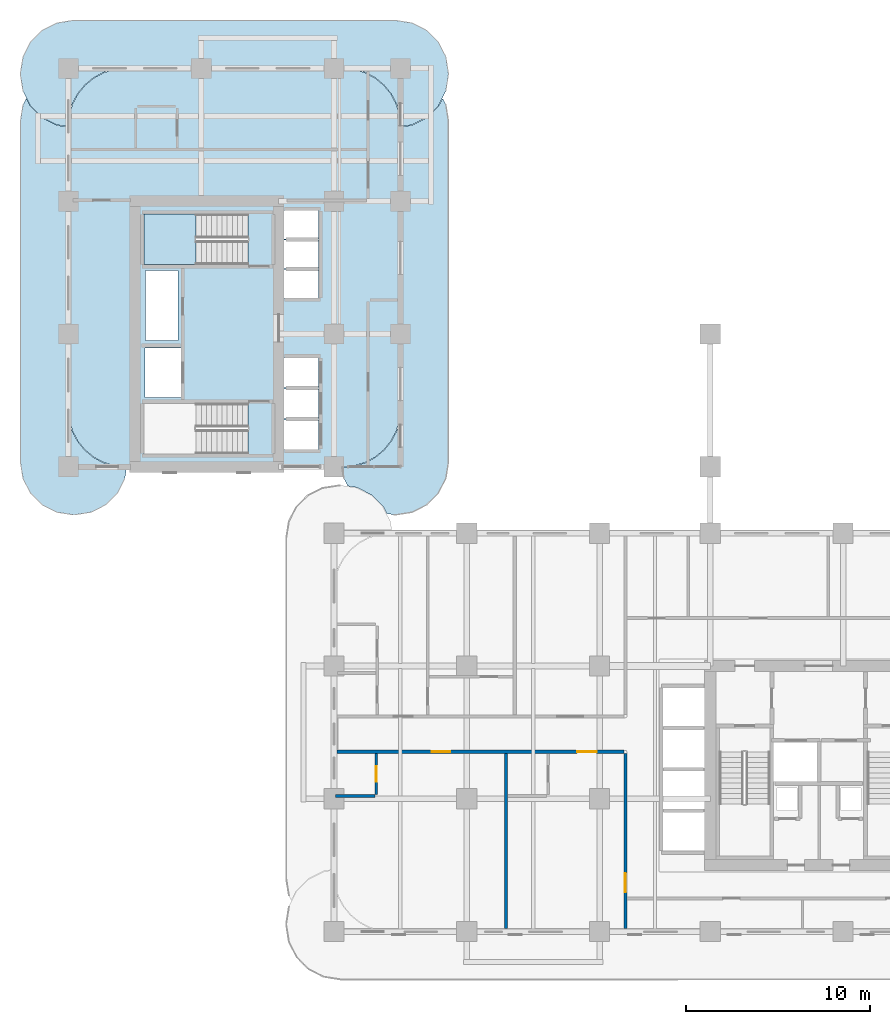
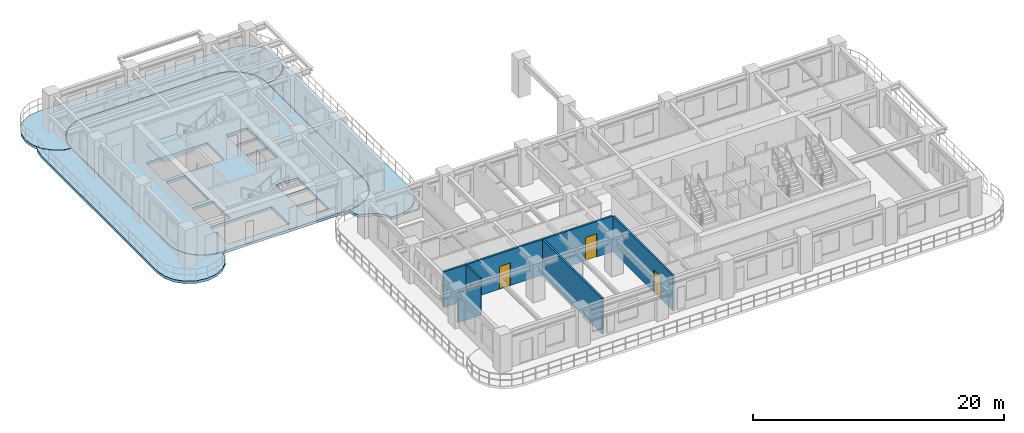
# One storey, part 6 of 19: 5 slabs, 5 walls, 4 doors, 4 openings, 1 element without a shape of its own.
"""IFC4 building model written with IfcOpenShell, lengths in metres."""

from ifc_helpers import new_model, si_unit, derived_unit, direction, frame, frame_2d, origin, place, context, subcontext, project, spatial, polyline, rectangle, outline, extrude, source, transform, mapped, material, layer, layer_set, type_object, type_shapes, element, fill, aggregate, save


model = new_model("IFC4")

# Units and contexts
model_context = context("Model", 3, precision=1e-05, world=origin(), true_north=direction((0.0, 1.0)))
body_context = subcontext(model_context, "Body", "Model", "MODEL_VIEW")
ifc_project = project(units=[si_unit("LENGTHUNIT", "METRE"), si_unit("AREAUNIT", "SQUARE_METRE"), si_unit("VOLUMEUNIT", "CUBIC_METRE"), si_unit("PLANEANGLEUNIT", "RADIAN"), si_unit("MASSUNIT", "GRAM", prefix="KILO"), si_unit("THERMODYNAMICTEMPERATUREUNIT", "KELVIN"), si_unit("POWERUNIT", "WATT"), derived_unit("THERMALTRANSMITTANCEUNIT", [(si_unit("POWERUNIT", "WATT"), 1), (si_unit("AREAUNIT", "SQUARE_METRE"), -1), (si_unit("THERMODYNAMICTEMPERATUREUNIT", "KELVIN"), -1)])], contexts=[model_context])

# Site, building, storey
site_placement = place(None, origin())
site = spatial("IfcSite", under=ifc_project, at=site_placement, CompositionType="ELEMENT")
building_placement = place(site_placement, origin())
building = spatial("IfcBuilding", under=site, at=building_placement, Name="Zahravan Archway Hotel and Residences", CompositionType="ELEMENT")
storey_placement = place(building_placement, frame((0.0, 0.0, 47.199951171875)))
storey = spatial("IfcBuildingStorey", under=building, at=storey_placement, Name="L10", CompositionType="ELEMENT", Elevation=47.199951171875)

# Slabs
ifc_material_1 = material(Name="Concrete C45/55", Category="concrete")
ifc_layer_1 = layer(ifc_material_1, 0.25, Name="Concrete C45/55", Category="concrete")
ifc_layer_set_1 = layer_set([ifc_layer_1], Name="Concrete C45/55")
slab_type_1 = type_object("IfcSlabType", Name="SLB-BALC-250", PredefinedType="FLOOR", material=ifc_layer_set_1)
slab_1_placement = place(storey_placement, frame((0.0, 0.0, -0.25)))
element("IfcSlab", 1, at=slab_1_placement, inside=storey, type_object=slab_type_1, Name="L10 Wing B North Rounded Balcony Band", PredefinedType="FLOOR", context=body_context, shape_type="SweptSolid", body=[
    extrude(outline(polyline([(-0.630615234375, 43.739501953125), (-1.42529296875, 44.144287109375), (-2.0556640625, 44.77490234375), (-2.46044921875, 45.5693359375), (-2.60009765625, 46.449951171875), (-2.60009765625, 46.550048828125), (-2.46044921875, 47.4306640625), (-2.0556640625, 48.22509765625), (-1.42529296875, 48.855712890625), (-0.630615234375, 49.260498046875), (0.25, 49.39990234375), (17.75, 49.39990234375), (18.630615234375, 49.260498046875), (19.42529296875, 48.855712890625), (20.0556640625, 48.22509765625), (20.46044921875, 47.4306640625), (20.60009765625, 46.550048828125), (20.60009765625, 46.449951171875), (20.46044921875, 45.5693359375), (20.0556640625, 44.77490234375), (19.42529296875, 44.144287109375), (18.630615234375, 43.739501953125), (18.02001953125, 43.642822265625), (18.02001953125, 43.699951171875), (18.02001953125, 43.701904296875), (17.960205078125, 44.306884765625), (17.9599609375, 44.30859375), (17.95947265625, 44.310546875), (17.783203125, 44.89208984375), (17.782470703125, 44.89404296875), (17.781494140625, 44.895751953125), (17.4951171875, 45.431640625), (17.494140625, 45.433349609375), (17.4931640625, 45.43505859375), (17.107421875, 45.90478515625), (17.106201171875, 45.906005859375), (17.104736328125, 45.907470703125), (16.635009765625, 46.293212890625), (16.63330078125, 46.294189453125), (16.631591796875, 46.295166015625), (16.095703125, 46.58154296875), (16.093994140625, 46.58251953125), (16.092041015625, 46.5830078125), (15.510498046875, 46.759521484375), (15.5087890625, 46.760009765625), (15.5068359375, 46.76025390625), (14.902099609375, 46.81982421875), (14.89990234375, 46.820068359375), (3.10009765625, 46.820068359375), (3.097900390625, 46.81982421875), (2.4931640625, 46.76025390625), (2.4912109375, 46.760009765625), (2.489501953125, 46.759521484375), (1.907958984375, 46.5830078125), (1.906005859375, 46.58251953125), (1.904296875, 46.58154296875), (1.368408203125, 46.295166015625), (1.36669921875, 46.294189453125), (1.364990234375, 46.293212890625), (0.895263671875, 45.907470703125), (0.893798828125, 45.906005859375), (0.892578125, 45.90478515625), (0.5068359375, 45.43505859375), (0.505859375, 45.433349609375), (0.5048828125, 45.431640625), (0.218505859375, 44.895751953125), (0.217529296875, 44.89404296875), (0.216796875, 44.89208984375), (0.04052734375, 44.310546875), (0.0400390625, 44.30859375), (0.039794921875, 44.306884765625), (-0.02001953125, 43.701904296875), (-0.02001953125, 43.699951171875), (-0.02001953125, 43.642822265625), (-0.630615234375, 43.739501953125)])), origin(), (0.0, 0.0, 1.0), 0.25),
])
slab_2_placement = place(storey_placement, frame((0.0, 0.0, -0.25)))
element("IfcSlab", 2, at=slab_2_placement, inside=storey, type_object=slab_type_1, Name="L10 Wing B West Rounded Balcony Band", PredefinedType="FLOOR", context=body_context, shape_type="SweptSolid", body=[
    extrude(outline(polyline([(3.060546875, 24.5693359375), (2.65576171875, 23.77490234375), (2.025146484375, 23.144287109375), (1.230712890625, 22.739501953125), (0.35009765625, 22.60009765625), (0.25, 22.60009765625), (-0.630615234375, 22.739501953125), (-1.42529296875, 23.144287109375), (-2.0556640625, 23.77490234375), (-2.46044921875, 24.5693359375), (-2.60009765625, 25.449951171875), (-2.60009765625, 43.949951171875), (-2.46044921875, 44.830810546875), (-2.28369140625, 45.177978515625), (-2.073486328125, 44.765625), (-2.072509765625, 44.763916015625), (-2.0712890625, 44.76220703125), (-2.06982421875, 44.7607421875), (-1.439208984375, 44.130126953125), (-1.437744140625, 44.12890625), (-1.43603515625, 44.12744140625), (-1.434326171875, 44.12646484375), (-0.639892578125, 43.7216796875), (-0.637939453125, 43.720703125), (-0.635986328125, 43.72021484375), (-0.6337890625, 43.7197265625), (-0.023193359375, 43.623046875), (-0.021240234375, 43.622802734375), (-0.02001953125, 43.622802734375), (-0.02001953125, 28.300048828125), (-0.02001953125, 28.298095703125), (0.039794921875, 27.693115234375), (0.0400390625, 27.69140625), (0.04052734375, 27.689453125), (0.216796875, 27.10791015625), (0.217529296875, 27.10595703125), (0.218505859375, 27.104248046875), (0.5048828125, 26.568359375), (0.505859375, 26.566650390625), (0.5068359375, 26.56494140625), (0.892578125, 26.09521484375), (0.893798828125, 26.093994140625), (0.895263671875, 26.092529296875), (1.364990234375, 25.706787109375), (1.36669921875, 25.705810546875), (1.368408203125, 25.704833984375), (1.904296875, 25.41845703125), (1.906005859375, 25.41748046875), (1.907958984375, 25.4169921875), (2.489501953125, 25.240478515625), (2.4912109375, 25.239990234375), (2.4931640625, 25.23974609375), (3.097900390625, 25.18017578125), (3.10009765625, 25.179931640625), (3.1572265625, 25.179931640625), (3.060546875, 24.5693359375)])), origin(), (0.0, 0.0, 1.0), 0.25),
])
slab_3_placement = place(storey_placement, frame((0.0, 0.0, -0.25)))
element("IfcSlab", 3, at=slab_3_placement, inside=storey, type_object=slab_type_1, Name="L10 Wing B East Rounded Balcony Band", PredefinedType="FLOOR", context=body_context, shape_type="SweptSolid", body=[
    extrude(outline(polyline([(20.46044921875, 44.830810546875), (20.60009765625, 43.949951171875), (20.60009765625, 25.449951171875), (20.46044921875, 24.5693359375), (20.0556640625, 23.77490234375), (19.42529296875, 23.144287109375), (18.630615234375, 22.739501953125), (17.75, 22.60009765625), (17.64990234375, 22.60009765625), (17.263671875, 22.6611328125), (17.073486328125, 23.0341796875), (17.072509765625, 23.0361328125), (17.0712890625, 23.037841796875), (17.06982421875, 23.039306640625), (16.439208984375, 23.669921875), (16.437744140625, 23.671142578125), (16.43603515625, 23.672607421875), (16.434326171875, 23.673583984375), (15.639892578125, 24.078369140625), (15.637939453125, 24.0791015625), (15.635986328125, 24.079833984375), (15.6337890625, 24.080322265625), (15.149658203125, 24.156982421875), (14.939453125, 24.5693359375), (14.8427734375, 25.179931640625), (14.89990234375, 25.179931640625), (14.902099609375, 25.18017578125), (15.5068359375, 25.23974609375), (15.5087890625, 25.239990234375), (15.510498046875, 25.240478515625), (16.092041015625, 25.4169921875), (16.093994140625, 25.41748046875), (16.095703125, 25.41845703125), (16.631591796875, 25.704833984375), (16.63330078125, 25.705810546875), (16.635009765625, 25.706787109375), (17.104736328125, 26.092529296875), (17.106201171875, 26.093994140625), (17.107421875, 26.09521484375), (17.4931640625, 26.56494140625), (17.494140625, 26.566650390625), (17.4951171875, 26.568359375), (17.781494140625, 27.104248046875), (17.782470703125, 27.10595703125), (17.783203125, 27.10791015625), (17.95947265625, 27.689453125), (17.9599609375, 27.69140625), (17.960205078125, 27.693115234375), (18.02001953125, 28.298095703125), (18.02001953125, 28.300048828125), (18.02001953125, 43.622802734375), (18.021240234375, 43.622802734375), (18.023193359375, 43.623046875), (18.6337890625, 43.7197265625), (18.635986328125, 43.72021484375), (18.637939453125, 43.720703125), (18.639892578125, 43.7216796875), (19.434326171875, 44.12646484375), (19.43603515625, 44.12744140625), (19.437744140625, 44.12890625), (19.439208984375, 44.130126953125), (20.06982421875, 44.7607421875), (20.0712890625, 44.76220703125), (20.072509765625, 44.763916015625), (20.073486328125, 44.765625), (20.28369140625, 45.177978515625), (20.46044921875, 44.830810546875)])), origin(), (0.0, 0.0, 1.0), 0.25),
])
ifc_layer_2 = layer(ifc_material_1, 0.25, Name="Concrete C45/55", Category="concrete")
ifc_layer_set_2 = layer_set([ifc_layer_2], Name="Concrete C45/55")
slab_type_2 = type_object("IfcSlabType", Name="SLB-FLR-250", PredefinedType="FLOOR", material=ifc_layer_set_2)
slab_4_placement = place(storey_placement, frame((0.0, 0.0, -0.25)))
element("IfcSlab", 4, at=slab_4_placement, inside=storey, type_object=slab_type_2, Name="L10 Floor Slab WB", PredefinedType="FLOOR", context=body_context, shape_type="SweptSolid", body=[
    extrude(outline(polyline([(14.89990234375, 25.199951171875), (15.5048828125, 25.259521484375), (16.086181640625, 25.43603515625), (16.622314453125, 25.722412109375), (17.092041015625, 26.10791015625), (17.4775390625, 26.57763671875), (17.763916015625, 27.11376953125), (17.9404296875, 27.6953125), (18.0, 28.300048828125), (18.0, 43.699951171875), (17.9404296875, 44.3046875), (17.763916015625, 44.88623046875), (17.4775390625, 45.42236328125), (17.092041015625, 45.89208984375), (16.622314453125, 46.277587890625), (16.086181640625, 46.56396484375), (15.5048828125, 46.740478515625), (14.89990234375, 46.800048828125), (3.10009765625, 46.800048828125), (2.4951171875, 46.740478515625), (1.913818359375, 46.56396484375), (1.377685546875, 46.277587890625), (0.907958984375, 45.89208984375), (0.5224609375, 45.42236328125), (0.236083984375, 44.88623046875), (0.0595703125, 44.3046875), (0.0, 43.699951171875), (0.0, 28.300048828125), (0.0595703125, 27.6953125), (0.236083984375, 27.11376953125), (0.5224609375, 26.57763671875), (0.907958984375, 26.10791015625), (1.377685546875, 25.722412109375), (1.913818359375, 25.43603515625), (2.4951171875, 25.259521484375), (3.10009765625, 25.199951171875), (14.89990234375, 25.199951171875)]), holes=[polyline([(9.72998046875, 28.639892578125), (4.10009765625, 28.639892578125), (4.10009765625, 25.89990234375), (9.72998046875, 25.89990234375), (9.72998046875, 28.639892578125)]), polyline([(9.72998046875, 38.89990234375), (4.10009765625, 38.89990234375), (4.10009765625, 36.159912109375), (9.72998046875, 36.159912109375), (9.72998046875, 38.89990234375)]), polyline([(4.14990234375, 28.949951171875), (6.10009765625, 28.949951171875), (6.10009765625, 31.64990234375), (4.14990234375, 31.64990234375), (4.14990234375, 28.949951171875)]), polyline([(11.550048828125, 26.14990234375), (13.550048828125, 26.14990234375), (13.550048828125, 27.75), (11.550048828125, 27.75), (11.550048828125, 26.14990234375)]), polyline([(11.550048828125, 27.830078125), (13.550048828125, 27.830078125), (13.550048828125, 29.429931640625), (11.550048828125, 29.429931640625), (11.550048828125, 27.830078125)]), polyline([(11.550048828125, 29.510009765625), (13.550048828125, 29.510009765625), (13.550048828125, 31.110107421875), (11.550048828125, 31.110107421875), (11.550048828125, 29.510009765625)]), polyline([(11.550048828125, 34.35009765625), (13.550048828125, 34.35009765625), (13.550048828125, 35.889892578125), (11.550048828125, 35.889892578125), (11.550048828125, 34.35009765625)]), polyline([(11.550048828125, 35.949951171875), (13.550048828125, 35.949951171875), (13.550048828125, 37.489990234375), (11.550048828125, 37.489990234375), (11.550048828125, 35.949951171875)]), polyline([(11.550048828125, 37.550048828125), (13.550048828125, 37.550048828125), (13.550048828125, 39.090087890625), (11.550048828125, 39.090087890625), (11.550048828125, 37.550048828125)]), polyline([(4.179931640625, 32.050048828125), (5.93994140625, 32.050048828125), (5.93994140625, 35.840087890625), (4.179931640625, 35.840087890625), (4.179931640625, 32.050048828125)])]), origin(), (0.0, 0.0, 1.0), 0.25),
])

# Stair, slab
ifc_material_2 = material(Name="Concrete C50/60", Category="concrete")
stair_type = type_object("IfcStairType", Name="STR-CORE-1300", PredefinedType="HALF_TURN_STAIR", material=ifc_material_2)
stair_placement = place(storey_placement, origin())
stair = element("IfcStair", 5, at=stair_placement, inside=storey, type_object=stair_type, Name="L10 Core B Exit Stair 2", PredefinedType="HALF_TURN_STAIR")
ifc_layer_3 = layer(ifc_material_2, 0.199951171875, Name="Concrete C50/60", Category="concrete")
ifc_layer_set_3 = layer_set([ifc_layer_3], Name="Concrete C50/60")
slab_type_3 = type_object("IfcSlabType", Name="SLB-LND-200", PredefinedType="LANDING", material=ifc_layer_set_3)
slab_5_placement = place(storey_placement, frame((0.0, 0.0, 1.650146484375)))
slab_5 = element("IfcSlab", 6, at=slab_5_placement, type_object=slab_type_3, Name="ST-B2 landing 1", PredefinedType="LANDING", context=body_context, shape_type="SweptSolid", body=[
    extrude(outline(polyline([(6.929931640625, 38.89990234375), (4.10009765625, 38.89990234375), (4.10009765625, 36.159912109375), (6.929931640625, 36.159912109375), (6.929931640625, 38.89990234375)])), origin(), (0.0, 0.0, 1.0), 0.199951171875),
])
aggregate(stair, [slab_5])

# Wall, opening, door
ifc_material_3 = material(Name="Fire-Rated Gypsum & Concrete Block", Category="concrete")
ifc_layer_4 = layer(ifc_material_3, 0.159912109375, Name="Fire-Rated Gypsum & Concrete Block", Category="concrete")
ifc_layer_set_4 = layer_set([ifc_layer_4], Name="Fire-Rated Gypsum & Concrete Block")
wall_type_1 = type_object("IfcWallType", Name="PW-CORR-160", PredefinedType="PARTITIONING", material=ifc_layer_set_4)
wall_1_placement = place(storey_placement, frame((30.199951171875, 0.16796875, 0.0), z_axis=(0.0, 0.0, 1.0), x_axis=(0.0, 1.0, 0.0)))
wall_1 = element("IfcWall", 7, at=wall_1_placement, inside=storey, type_object=wall_type_1, Name="L10 Partition WA-SRW", PredefinedType="PARTITIONING", context=body_context, shape_type="SweptSolid", body=[
    extrude(rectangle(XDim=9.491943359375, YDim=0.159912109375, at=frame_2d((4.74609375, 0.0))), origin(), (0.0, 0.0, 1.0), 3.449951171875),
])
opening_1_placement = place(wall_1_placement, frame((1.95703125, 0.0, 0.0)))
opening_1 = element("IfcOpeningElement", 8, at=opening_1_placement, cuts=wall_1, Name="Opening FD-L2", PredefinedType="OPENING", context=body_context, shape_type="SweptSolid", body=[
    extrude(rectangle(XDim=1.050048828125, YDim=2.14990234375, at=frame_2d((0.52490234375, 1.074951171875))), frame((0.0, 0.08984375, 0.0), z_axis=(0.0, -1.0, 0.0), x_axis=(1.0, 0.0, 0.0)), (0.0, 0.0, 1.0), 0.179931640625),
])
ifc_material_4 = material(Name="Fire-Rated Painted Steel", Category="steel")
door_type_1 = type_object("IfcDoorType", Name="FD-LOBBY-1100", OperationType="NOTDEFINED", PredefinedType="DOOR", material=ifc_material_4)
shared_shape_1 = source(origin(), body_context, "Body", "SweptSolid", [
    extrude(rectangle(XDim=1.050048828125, YDim=2.14990234375, at=frame_2d((0.52490234375, 1.074951171875))), frame((0.0, 0.02490234375, 0.0), z_axis=(0.0, -1.0, 0.0), x_axis=(1.0, 0.0, 0.0)), (0.0, 0.0, 1.0), 0.050048828125),
])
type_shapes(door_type_1, [shared_shape_1])
door_1_placement = place(opening_1_placement, origin())
door_1 = element("IfcDoor", 9, at=door_1_placement, inside=storey, type_object=door_type_1, Name="L10 South Riser Corridor Door", OperationType="SINGLE_SWING_LEFT", OverallHeight=2.14990234375, OverallWidth=1.050048828125, PredefinedType="DOOR", context=body_context, shape_type="MappedRepresentation", body=[
    mapped(shared_shape_1, transform((0.0, 0.0, 0.0), scale=1.0)),
])
fill(opening_1, door_1)

# Wall, openings, doors
ifc_layer_5 = layer(ifc_material_3, 0.179931640625, Name="Fire-Rated Gypsum & Concrete Block", Category="concrete")
ifc_layer_set_5 = layer_set([ifc_layer_5], Name="Fire-Rated Gypsum & Concrete Block")
wall_type_2 = type_object("IfcWallType", Name="PW-CORR-180", PredefinedType="PARTITIONING", material=ifc_layer_set_5)
wall_2_placement = place(storey_placement, frame((14.568115234375, 9.75, 0.0), z_axis=(0.0, 0.0, 1.0), x_axis=(1.0, 0.0, 0.0)))
wall_2 = element("IfcWall", 10, at=wall_2_placement, inside=storey, type_object=wall_type_2, Name="L10 Partition WA-CS", PredefinedType="PARTITIONING", context=body_context, shape_type="SweptSolid", body=[
    extrude(rectangle(XDim=15.5419921875, YDim=0.179931640625, at=frame_2d((7.77099609375, 0.0))), origin(), (0.0, 0.0, 1.0), 3.449951171875),
])
opening_2_placement = place(wall_2_placement, frame((5.14208984375, 0.0, 0.0)))
opening_2 = element("IfcOpeningElement", 11, at=opening_2_placement, cuts=wall_2, Name="Opening D-U2", PredefinedType="OPENING", context=body_context, shape_type="SweptSolid", body=[
    extrude(rectangle(XDim=1.0, YDim=2.199951171875, at=frame_2d((0.5, 1.10009765625))), frame((0.0, 0.10009765625, 0.0), z_axis=(0.0, -1.0, 0.0), x_axis=(1.0, 0.0, 0.0)), (0.0, 0.0, 1.0), 0.199951171875),
])
opening_3_placement = place(wall_2_placement, frame((13.01708984375, 0.0, 0.0)))
opening_3 = element("IfcOpeningElement", 12, at=opening_3_placement, cuts=wall_2, Name="Opening D-U1", PredefinedType="OPENING", context=body_context, shape_type="SweptSolid", body=[
    extrude(rectangle(XDim=1.050048828125, YDim=2.25, at=frame_2d((0.52490234375, 1.125))), frame((0.0, 0.10009765625, 0.0), z_axis=(0.0, -1.0, 0.0), x_axis=(1.0, 0.0, 0.0)), (0.0, 0.0, 1.0), 0.199951171875),
])
ifc_material_5 = material(Name="Hardwood Veneer Timber", Category="wood")
door_type_2 = type_object("IfcDoorType", Name="ID-UNIT-1050", OperationType="NOTDEFINED", PredefinedType="DOOR", material=ifc_material_5)
shared_shape_2 = source(origin(), body_context, "Body", "SweptSolid", [
    extrude(rectangle(XDim=1.050048828125, YDim=2.25, at=frame_2d((0.52490234375, 1.125))), frame((0.0, 0.02490234375, 0.0), z_axis=(0.0, -1.0, 0.0), x_axis=(1.0, 0.0, 0.0)), (0.0, 0.0, 1.0), 0.050048828125),
])
type_shapes(door_type_2, [shared_shape_2])
door_2_placement = place(opening_3_placement, origin())
door_2 = element("IfcDoor", 13, at=door_2_placement, inside=storey, type_object=door_type_2, Name="L10 Hotel Guestroom 12 Entrance Door", OperationType="SINGLE_SWING_LEFT", OverallHeight=2.25, OverallWidth=1.050048828125, PredefinedType="DOOR", context=body_context, shape_type="MappedRepresentation", body=[
    mapped(shared_shape_2, transform((0.0, 0.0, 0.0), scale=1.0)),
])
fill(opening_3, door_2)
door_type_3 = type_object("IfcDoorType", Name="ID-UNIT-1000", OperationType="NOTDEFINED", PredefinedType="DOOR", material=ifc_material_5)
shared_shape_3 = source(origin(), body_context, "Body", "SweptSolid", [
    extrude(rectangle(XDim=1.0, YDim=2.199951171875, at=frame_2d((0.5, 1.10009765625))), frame((0.0, 0.02490234375, 0.0), z_axis=(0.0, -1.0, 0.0), x_axis=(1.0, 0.0, 0.0)), (0.0, 0.0, 1.0), 0.050048828125),
])
type_shapes(door_type_3, [shared_shape_3])
door_3_placement = place(opening_2_placement, origin())
door_3 = element("IfcDoor", 14, at=door_3_placement, inside=storey, type_object=door_type_3, Name="L10 Hotel Guestroom 11 Entrance Door", OperationType="SINGLE_SWING_LEFT", OverallHeight=2.199951171875, OverallWidth=1.0, PredefinedType="DOOR", context=body_context, shape_type="MappedRepresentation", body=[
    mapped(shared_shape_3, transform((0.0, 0.0, 0.0), scale=1.0)),
])
fill(opening_2, door_3)

# Wall
ifc_material_6 = material(Name="Acoustic Stud Partition")
ifc_layer_6 = layer(ifc_material_6, 0.169921875, Name="Acoustic Stud Partition")
ifc_layer_set_6 = layer_set([ifc_layer_6], Name="Acoustic Stud Partition")
wall_type_3 = type_object("IfcWallType", Name="PW-UNIT-170", PredefinedType="PARTITIONING", material=ifc_layer_set_6)
wall_3_placement = place(storey_placement, frame((23.719970703125, 0.16796875, 0.0), z_axis=(0.0, 0.0, 1.0), x_axis=(0.0, 1.0, 0.0)))
element("IfcWall", 15, at=wall_3_placement, inside=storey, type_object=wall_type_3, Name="L10 Partition WAS-1M", PredefinedType="PARTITIONING", context=body_context, shape_type="SweptSolid", body=[
    extrude(rectangle(XDim=9.491943359375, YDim=0.169921875, at=frame_2d((4.74609375, 0.0))), origin(), (0.0, 0.0, 1.0), 3.449951171875),
])

# Wall, opening, door
ifc_material_7 = material(Name="Moisture-Resistant Blockwork", Category="masonry")
ifc_layer_7 = layer(ifc_material_7, 0.139892578125, Name="Moisture-Resistant Blockwork", Category="masonry")
ifc_layer_set_7 = layer_set([ifc_layer_7], Name="Moisture-Resistant Blockwork")
wall_type_4 = type_object("IfcWallType", Name="PW-WET-140", PredefinedType="PARTITIONING", material=ifc_layer_set_7)
wall_4_placement = place(storey_placement, frame((16.699951171875, 7.43994140625, 0.0), z_axis=(0.0, 0.0, 1.0), x_axis=(0.0, 1.0, 0.0)))
wall_4 = element("IfcWall", 16, at=wall_4_placement, inside=storey, type_object=wall_type_4, Name="L10 Partition HKB-V11", PredefinedType="PARTITIONING", context=body_context, shape_type="SweptSolid", body=[
    extrude(rectangle(XDim=2.219970703125, YDim=0.139892578125, at=frame_2d((1.10986328125, 0.0))), origin(), (0.0, 0.0, 1.0), 3.449951171875),
])
opening_4_placement = place(wall_4_placement, frame((0.68505859375, 0.0, 0.0)))
opening_4 = element("IfcOpeningElement", 17, at=opening_4_placement, cuts=wall_4, Name="Opening D-B1", PredefinedType="OPENING", context=body_context, shape_type="SweptSolid", body=[
    extrude(rectangle(XDim=0.85009765625, YDim=2.10009765625, at=frame_2d((0.425048828125, 1.050048828125))), frame((0.0, 0.080078125, 0.0), z_axis=(0.0, -1.0, 0.0), x_axis=(1.0, 0.0, 0.0)), (0.0, 0.0, 1.0), 0.159912109375),
])
door_type_4 = type_object("IfcDoorType", Name="ID-BATH-850", OperationType="NOTDEFINED", PredefinedType="DOOR", material=ifc_material_5)
shared_shape_4 = source(origin(), body_context, "Body", "SweptSolid", [
    extrude(rectangle(XDim=0.85009765625, YDim=2.10009765625, at=frame_2d((0.425048828125, 1.050048828125))), frame((0.0, 0.02490234375, 0.0), z_axis=(0.0, -1.0, 0.0), x_axis=(1.0, 0.0, 0.0)), (0.0, 0.0, 1.0), 0.050048828125),
])
type_shapes(door_type_4, [shared_shape_4])
door_4_placement = place(opening_4_placement, origin())
door_4 = element("IfcDoor", 18, at=door_4_placement, inside=storey, type_object=door_type_4, Name="L10 Guestroom 11 En-Suite Door", OperationType="SINGLE_SWING_RIGHT", OverallHeight=2.10009765625, OverallWidth=0.85009765625, PredefinedType="DOOR", context=body_context, shape_type="MappedRepresentation", body=[
    mapped(shared_shape_4, transform((0.0, 0.0, 0.0), scale=1.0)),
])
fill(opening_4, door_4)

# Wall
wall_5_placement = place(storey_placement, frame((14.489990234375, 7.35009765625, 0.0), z_axis=(0.0, 0.0, 1.0), x_axis=(1.0, 0.0, 0.0)))
element("IfcWall", 19, at=wall_5_placement, inside=storey, type_object=wall_type_4, Name="L10 Partition HKB-H11", PredefinedType="PARTITIONING", context=body_context, shape_type="SweptSolid", body=[
    extrude(rectangle(XDim=2.1201171875, YDim=0.139892578125, at=frame_2d((1.06005859375, 0.0))), origin(), (0.0, 0.0, 1.0), 2.885009765625),
])

save(model, "model.ifc")
